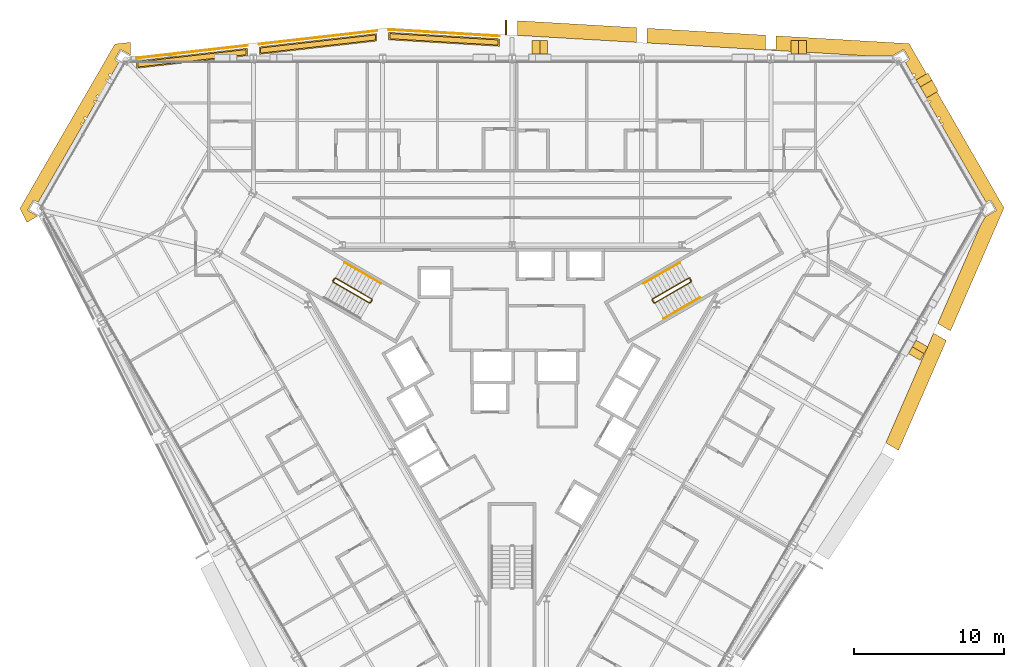
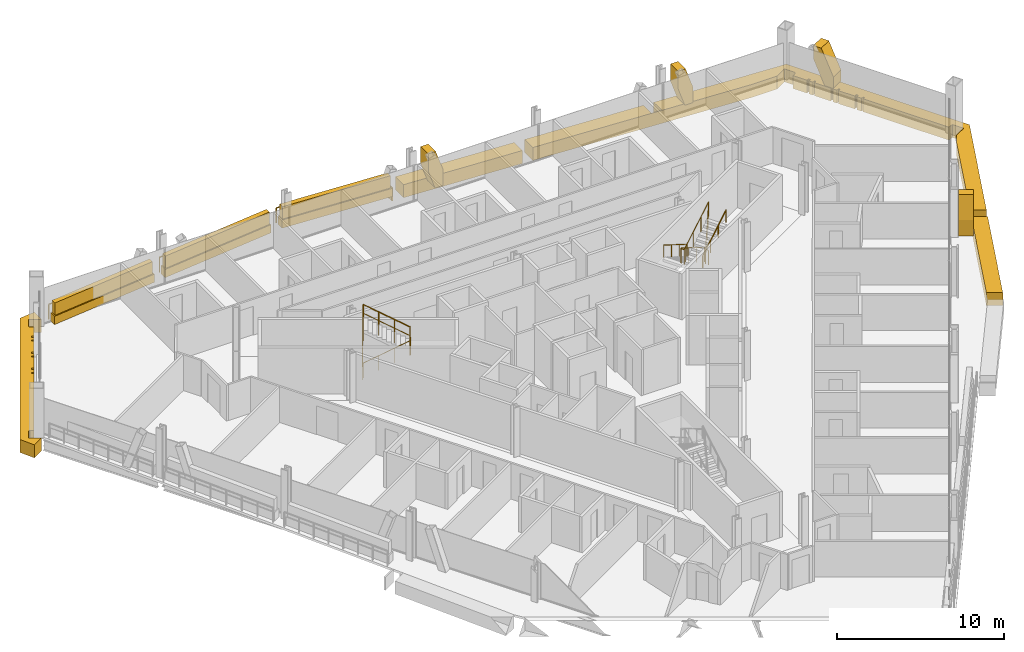
# One storey, part 18 of 18: 15 coverings, 8 railings.
"""IFC4 building model written with IfcOpenShell, lengths in metres."""

from ifc_helpers import new_model, si_unit, direction, frame, origin, origin_2d, place, context, subcontext, project, spatial, polyline, circle, outline, extrude, material, layer, layer_set, type_object, element, save


model = new_model("IFC4")

# Units and contexts
model_context = context("Model", 3, precision=1e-05, world=origin(), true_north=direction((0.0, 1.0)))
body_context = subcontext(model_context, "Body", "Model", "MODEL_VIEW")
ifc_project = project(units=[si_unit("LENGTHUNIT", "METRE"), si_unit("AREAUNIT", "SQUARE_METRE"), si_unit("VOLUMEUNIT", "CUBIC_METRE"), si_unit("PLANEANGLEUNIT", "RADIAN"), si_unit("MASSUNIT", "GRAM", prefix="KILO")], contexts=[model_context])

# Site, building, storey
site_placement = place(None, origin())
site = spatial("IfcSite", under=ifc_project, at=site_placement, CompositionType="ELEMENT")
building_placement = place(site_placement, origin())
building = spatial("IfcBuilding", under=site, at=building_placement, Name="Verrane Prism Tower", CompositionType="ELEMENT")
storey_placement = place(building_placement, frame((0.0, 0.0, 80.0)))
storey = spatial("IfcBuildingStorey", under=building, at=storey_placement, Name="L18", CompositionType="ELEMENT", Elevation=80.0)

# Coverings
ifc_material_1 = material(Name="Planting medium in stone kerb", Category="masonry")
covering_type_1 = type_object("IfcCoveringType", Name="Planter bed 600", PredefinedType="USERDEFINED", material=ifc_material_1)
covering_1_placement = place(storey_placement, origin())
element("IfcCovering", 1, at=covering_1_placement, inside=storey, type_object=covering_type_1, Name="Loggia planter N4 L18", ObjectType="PLANTER", PredefinedType="USERDEFINED", context=body_context, shape_type="SweptSolid", body=[
    extrude(outline(polyline([(-0.85009765625, 22.934814453125), (-8.231689453125, 23.36669921875), (-8.231689453125, 22.86669921875), (-0.85009765625, 22.434814453125), (-0.85009765625, 22.934814453125)])), origin(), (0.0, 0.0, 1.0), 0.60009765625),
])
covering_2_placement = place(storey_placement, origin())
element("IfcCovering", 2, at=covering_2_placement, inside=storey, type_object=covering_type_1, Name="Loggia planter N5 L18", ObjectType="PLANTER", PredefinedType="USERDEFINED", context=body_context, shape_type="SweptSolid", body=[
    extrude(outline(polyline([(-9.03173828125, 23.285400390625), (-16.86376953125, 22.395751953125), (-16.86376953125, 21.895751953125), (-9.03173828125, 22.785400390625), (-9.03173828125, 23.285400390625)])), origin(), (0.0, 0.0, 1.0), 0.60009765625),
])
covering_3_placement = place(storey_placement, origin())
element("IfcCovering", 3, at=covering_3_placement, inside=storey, type_object=covering_type_1, Name="Loggia planter N6 L18", ObjectType="PLANTER", PredefinedType="USERDEFINED", context=body_context, shape_type="SweptSolid", body=[
    extrude(outline(polyline([(-17.663818359375, 22.304931640625), (-25.04541015625, 21.466552734375), (-25.04541015625, 20.966552734375), (-17.663818359375, 21.804931640625), (-17.663818359375, 22.304931640625)])), origin(), (0.0, 0.0, 1.0), 0.60009765625),
])
ifc_material_2 = material(Name="Planted shrubs and grasses", Category="other")
covering_type_2 = type_object("IfcCoveringType", Name="Planting mass 1000", PredefinedType="USERDEFINED", material=ifc_material_2)
covering_4_placement = place(storey_placement, frame((0.0, 0.0, 0.60009765625)))
element("IfcCovering", 4, at=covering_4_placement, inside=storey, type_object=covering_type_2, Name="Loggia planting N4 L18", ObjectType="PLANTING", PredefinedType="USERDEFINED", context=body_context, shape_type="SweptSolid", body=[
    extrude(outline(polyline([(-8.15185546875, 23.281982421875), (-8.15185546875, 22.9423828125), (-0.929931640625, 22.519775390625), (-0.929931640625, 22.859375), (-8.15185546875, 23.281982421875)])), origin(), (0.0, 0.0, 1.0), 0.89990234375),
])
covering_5_placement = place(storey_placement, frame((0.0, 0.0, 0.60009765625)))
element("IfcCovering", 5, at=covering_5_placement, inside=storey, type_object=covering_type_2, Name="Loggia planting N5 L18", ObjectType="PLANTING", PredefinedType="USERDEFINED", context=body_context, shape_type="SweptSolid", body=[
    extrude(outline(polyline([(-16.78369140625, 22.324462890625), (-16.78369140625, 21.9853515625), (-9.11181640625, 22.856689453125), (-9.11181640625, 23.19580078125), (-16.78369140625, 22.324462890625)])), origin(), (0.0, 0.0, 1.0), 0.89990234375),
])
covering_6_placement = place(storey_placement, frame((0.0, 0.0, 0.60009765625)))
element("IfcCovering", 6, at=covering_6_placement, inside=storey, type_object=covering_type_2, Name="Loggia planting N6 L18", ObjectType="PLANTING", PredefinedType="USERDEFINED", context=body_context, shape_type="SweptSolid", body=[
    extrude(outline(polyline([(-24.965576171875, 21.39501953125), (-24.965576171875, 21.05615234375), (-17.74365234375, 21.87646484375), (-17.74365234375, 22.21533203125), (-24.965576171875, 21.39501953125)])), origin(), (0.0, 0.0, 1.0), 0.89990234375),
])

# Railings
ifc_material_3 = material(Name="Steel A36 rail and posts, no infill", Category="steel")
railing_type_1 = type_object("IfcRailingType", Name="Stair guard 1100 steel rail and posts", PredefinedType="GUARDRAIL", material=ifc_material_3)
railing_1_placement = place(storey_placement, frame((11.78955078125, 6.97998046875, 0.16357421875)))
element("IfcRailing", 7, at=railing_1_placement, inside=storey, type_object=railing_type_1, Name="Stair 1 guard", PredefinedType="GUARDRAIL", context=body_context, shape_type="SweptSolid", body=[
    extrude(circle(Radius=0.02392578125, at=origin_2d()), frame((0.0, 0.0, 1.076171875), z_axis=(-0.747665513933, -0.431721881032, 0.504591415616), x_axis=(0.500049511043, -0.865996816683, 0.0)), (0.0, 0.0, 1.0), 3.2431640625),
    extrude(circle(Radius=0.02392578125, at=origin_2d()), frame((-2.4248046875, -1.400146484375, 2.71240234375), z_axis=(-0.259601060869, -0.965715946433, 0.0), x_axis=(0.965715946433, -0.259601060869, 0.0)), (0.0, 0.0, 1.0), 0.070556640625),
    extrude(circle(Radius=0.02392578125, at=origin_2d()), frame((-2.443115234375, -1.46826171875, 2.71240234375), z_axis=(0.499158860599, -0.866510491504, 0.0), x_axis=(0.866510491504, 0.499158860599, 0.0)), (0.0, 0.0, 1.0), 0.199951171875),
    extrude(circle(Radius=0.02392578125, at=origin_2d()), frame((-2.34326171875, -1.6416015625, 2.71240234375), z_axis=(0.383552647116, -0.102737316192, 0.917786691313), x_axis=(0.258736085224, 0.965948051503, 0.0)), (0.0, 0.0, 1.0), 0.17822265625),
    extrude(circle(Radius=0.02392578125, at=origin_2d()), frame((-2.27490234375, -1.659912109375, 2.8759765625), z_axis=(0.747665513933, 0.431721881032, 0.504591415616), x_axis=(-0.500049511043, 0.865996816683, 0.0)), (0.0, 0.0, 1.0), 3.2431640625),
    extrude(circle(Radius=0.02392578125, at=origin_2d()), frame((0.14990234375, -0.259765625, 4.5126953125), z_axis=(-0.022593669287, 0.066901613547, -0.997503734436), x_axis=(-0.947430582667, -0.3199613899, 0.0)), (0.0, 0.0, 1.0), 3.609130859375),
    extrude(circle(Radius=0.02392578125, at=origin_2d()), frame((0.068359375, -0.018310546875, 0.91259765625), z_axis=(0.499158860599, -0.866510491504, 0.0), x_axis=(0.866510491504, 0.499158860599, 0.0)), (0.0, 0.0, 1.0), 0.199951171875),
    extrude(circle(Radius=0.02099609375, at=origin_2d()), origin(), (0.0, 0.0, 1.0), 1.052001953125),
    extrude(circle(Radius=0.02099609375, at=origin_2d()), frame((-0.808349609375, -0.466796875, 0.54541015625)), (0.0, 0.0, 1.0), 1.052001953125),
    extrude(circle(Radius=0.02099609375, at=origin_2d()), frame((-1.616455078125, -0.933349609375, 1.091064453125)), (0.0, 0.0, 1.0), 1.052001953125),
    extrude(circle(Radius=0.02099609375, at=origin_2d()), frame((-2.4248046875, -1.400146484375, 1.636474609375)), (0.0, 0.0, 1.0), 1.052001953125),
    extrude(circle(Radius=0.02099609375, at=origin_2d()), frame((-2.443115234375, -1.46826171875, 1.636474609375)), (0.0, 0.0, 1.0), 1.052001953125),
    extrude(circle(Radius=0.02099609375, at=origin_2d()), frame((-2.34326171875, -1.6416015625, 1.636474609375)), (0.0, 0.0, 1.0), 1.052001953125),
    extrude(circle(Radius=0.02099609375, at=origin_2d()), frame((-2.27490234375, -1.659912109375, 1.800048828125)), (0.0, 0.0, 1.0), 1.052001953125),
    extrude(circle(Radius=0.02099609375, at=origin_2d()), frame((-1.466552734375, -1.193115234375, 2.345458984375)), (0.0, 0.0, 1.0), 1.052001953125),
    extrude(circle(Radius=0.02099609375, at=origin_2d()), frame((-0.658447265625, -0.7265625, 2.89111328125)), (0.0, 0.0, 1.0), 1.052001953125),
    extrude(circle(Radius=0.02099609375, at=origin_2d()), frame((0.14990234375, -0.259765625, 3.4365234375)), (0.0, 0.0, 1.0), 1.052001953125),
    extrude(circle(Radius=0.02099609375, at=origin_2d()), frame((0.12939453125, -0.199462890625, 2.53662109375)), (0.0, 0.0, 1.0), 1.052001953125),
    extrude(circle(Radius=0.02099609375, at=origin_2d()), frame((0.109130859375, -0.13916015625, 1.636474609375)), (0.0, 0.0, 1.0), 1.052001953125),
    extrude(circle(Radius=0.02099609375, at=origin_2d()), frame((0.0888671875, -0.07861328125, 0.736328125)), (0.0, 0.0, 1.0), 1.052001953125),
    extrude(circle(Radius=0.02099609375, at=origin_2d()), frame((0.068359375, -0.018310546875, -0.16357421875)), (0.0, 0.0, 1.0), 1.052001953125),
    extrude(circle(Radius=0.02099609375, at=origin_2d()), frame((0.168212890625, -0.191650390625, -0.16357421875)), (0.0, 0.0, 1.0), 1.052001953125),
])
railing_2_placement = place(storey_placement, frame((-11.939453125, 6.72021484375, 0.16357421875)))
element("IfcRailing", 8, at=railing_2_placement, inside=storey, type_object=railing_type_1, Name="Stair 2 guard", PredefinedType="GUARDRAIL", context=body_context, shape_type="SweptSolid", body=[
    extrude(circle(Radius=0.02392578125, at=origin_2d()), frame((0.0, 0.0, 1.076171875), z_axis=(0.747665513933, -0.431721881032, 0.504591415616), x_axis=(0.500049511043, 0.865996816683, 0.0)), (0.0, 0.0, 1.0), 3.2431640625),
    extrude(circle(Radius=0.02392578125, at=origin_2d()), frame((2.4248046875, -1.400146484375, 2.71240234375), z_axis=(0.965948051503, 0.258736085224, 0.0), x_axis=(-0.258736085224, 0.965948051503, 0.0)), (0.0, 0.0, 1.0), 0.07080078125),
    extrude(circle(Radius=0.02392578125, at=origin_2d()), frame((2.4931640625, -1.3818359375, 2.71240234375), z_axis=(0.499158860599, 0.866510491504, 0.0), x_axis=(-0.866510491504, 0.499158860599, 0.0)), (0.0, 0.0, 1.0), 0.199951171875),
    extrude(circle(Radius=0.02392578125, at=origin_2d()), frame((2.593017578125, -1.20849609375, 2.71240234375), z_axis=(-0.102791240646, 0.382383415203, 0.918268416436), x_axis=(-0.965715946433, -0.259601060869, 0.0)), (0.0, 0.0, 1.0), 0.17822265625),
    extrude(circle(Radius=0.02392578125, at=origin_2d()), frame((2.57470703125, -1.140380859375, 2.8759765625), z_axis=(-0.747665513933, 0.431721881032, 0.504591415616), x_axis=(-0.500049511043, -0.865996816683, 0.0)), (0.0, 0.0, 1.0), 3.2431640625),
    extrude(circle(Radius=0.02392578125, at=origin_2d()), frame((0.14990234375, 0.259765625, 4.5126953125), z_axis=(-0.046607763296, -0.053101733218, -0.99750083826), x_axis=(0.751567565678, -0.659656118156, 0.0)), (0.0, 0.0, 1.0), 3.609130859375),
    extrude(circle(Radius=0.02392578125, at=origin_2d()), frame((-0.018310546875, 0.068115234375, 0.91259765625), z_axis=(0.499158860599, 0.866510491504, 0.0), x_axis=(-0.866510491504, 0.499158860599, 0.0)), (0.0, 0.0, 1.0), 0.199951171875),
    extrude(circle(Radius=0.02099609375, at=origin_2d()), origin(), (0.0, 0.0, 1.0), 1.052001953125),
    extrude(circle(Radius=0.02099609375, at=origin_2d()), frame((0.808349609375, -0.466796875, 0.54541015625)), (0.0, 0.0, 1.0), 1.052001953125),
    extrude(circle(Radius=0.02099609375, at=origin_2d()), frame((1.616455078125, -0.933349609375, 1.091064453125)), (0.0, 0.0, 1.0), 1.052001953125),
    extrude(circle(Radius=0.02099609375, at=origin_2d()), frame((2.4248046875, -1.400146484375, 1.636474609375)), (0.0, 0.0, 1.0), 1.052001953125),
    extrude(circle(Radius=0.02099609375, at=origin_2d()), frame((2.4931640625, -1.3818359375, 1.636474609375)), (0.0, 0.0, 1.0), 1.052001953125),
    extrude(circle(Radius=0.02099609375, at=origin_2d()), frame((2.593017578125, -1.20849609375, 1.636474609375)), (0.0, 0.0, 1.0), 1.052001953125),
    extrude(circle(Radius=0.02099609375, at=origin_2d()), frame((2.57470703125, -1.140380859375, 1.800048828125)), (0.0, 0.0, 1.0), 1.052001953125),
    extrude(circle(Radius=0.02099609375, at=origin_2d()), frame((1.766357421875, -0.673583984375, 2.345458984375)), (0.0, 0.0, 1.0), 1.052001953125),
    extrude(circle(Radius=0.02099609375, at=origin_2d()), frame((0.958251953125, -0.20703125, 2.89111328125)), (0.0, 0.0, 1.0), 1.052001953125),
    extrude(circle(Radius=0.02099609375, at=origin_2d()), frame((0.14990234375, 0.259765625, 3.4365234375)), (0.0, 0.0, 1.0), 1.052001953125),
    extrude(circle(Radius=0.02099609375, at=origin_2d()), frame((0.10791015625, 0.2119140625, 2.53662109375)), (0.0, 0.0, 1.0), 1.052001953125),
    extrude(circle(Radius=0.02099609375, at=origin_2d()), frame((0.06591796875, 0.1640625, 1.636474609375)), (0.0, 0.0, 1.0), 1.052001953125),
    extrude(circle(Radius=0.02099609375, at=origin_2d()), frame((0.023681640625, 0.115966796875, 0.736328125)), (0.0, 0.0, 1.0), 1.052001953125),
    extrude(circle(Radius=0.02099609375, at=origin_2d()), frame((-0.018310546875, 0.068115234375, -0.16357421875)), (0.0, 0.0, 1.0), 1.052001953125),
    extrude(circle(Radius=0.02099609375, at=origin_2d()), frame((0.08154296875, 0.241455078125, -0.16357421875)), (0.0, 0.0, 1.0), 1.052001953125),
])
ifc_material_4 = material(Name="Steel A36 tube", Category="steel")
railing_type_2 = type_object("IfcRailingType", Name="Stair handrail 900 steel tube", PredefinedType="HANDRAIL", material=ifc_material_4)
railing_3_placement = place(storey_placement, frame((11.189453125, 8.01904296875, 0.16357421875)))
element("IfcRailing", 9, at=railing_3_placement, inside=storey, type_object=railing_type_2, Name="Stair 1 handrail", PredefinedType="HANDRAIL", context=body_context, shape_type="SweptSolid", body=[
    extrude(circle(Radius=0.02392578125, at=origin_2d()), frame((0.0, 0.0, 0.8759765625), z_axis=(-0.747689811644, -0.431660630283, 0.504607813879), x_axis=(0.49998411664, -0.866034573852, 0.0)), (0.0, 0.0, 1.0), 3.2431640625),
    extrude(circle(Radius=0.02099609375, at=origin_2d()), origin(), (0.0, 0.0, 1.0), 0.851806640625),
    extrude(circle(Radius=0.02099609375, at=origin_2d()), frame((-0.808349609375, -0.466552734375, 0.54541015625)), (0.0, 0.0, 1.0), 0.851806640625),
    extrude(circle(Radius=0.02099609375, at=origin_2d()), frame((-1.616455078125, -0.933349609375, 1.091064453125)), (0.0, 0.0, 1.0), 0.851806640625),
    extrude(circle(Radius=0.02099609375, at=origin_2d()), frame((-2.4248046875, -1.39990234375, 1.636474609375)), (0.0, 0.0, 1.0), 0.851806640625),
])
railing_4_placement = place(storey_placement, frame((10.11474609375, 4.28076171875, 1.963623046875)))
element("IfcRailing", 10, at=railing_4_placement, inside=storey, type_object=railing_type_2, Name="Stair 1 handrail", PredefinedType="HANDRAIL", context=body_context, shape_type="SweptSolid", body=[
    extrude(circle(Radius=0.02392578125, at=origin_2d()), frame((0.0, 0.0, 0.8759765625), z_axis=(0.747665513933, 0.431721881032, 0.504591415616), x_axis=(-0.500049511043, 0.865996816683, 0.0)), (0.0, 0.0, 1.0), 3.2431640625),
    extrude(circle(Radius=0.02099609375, at=origin_2d()), origin(), (0.0, 0.0, 1.0), 0.851806640625),
    extrude(circle(Radius=0.02099609375, at=origin_2d()), frame((0.808349609375, 0.466796875, 0.54541015625)), (0.0, 0.0, 1.0), 0.851806640625),
    extrude(circle(Radius=0.02099609375, at=origin_2d()), frame((1.616455078125, 0.933349609375, 1.091064453125)), (0.0, 0.0, 1.0), 0.851806640625),
    extrude(circle(Radius=0.02099609375, at=origin_2d()), frame((2.4248046875, 1.400146484375, 1.636474609375)), (0.0, 0.0, 1.0), 0.851806640625),
])
railing_5_placement = place(storey_placement, frame((-8.7646484375, 6.619140625, 1.963623046875)))
element("IfcRailing", 11, at=railing_5_placement, inside=storey, type_object=railing_type_2, Name="Stair 2 handrail", PredefinedType="HANDRAIL", context=body_context, shape_type="SweptSolid", body=[
    extrude(circle(Radius=0.02392578125, at=origin_2d()), frame((0.0, 0.0, 0.8759765625), z_axis=(-0.747689811644, 0.431660630283, 0.504607813879), x_axis=(-0.49998411664, -0.866034573852, 0.0)), (0.0, 0.0, 1.0), 3.2431640625),
    extrude(circle(Radius=0.02099609375, at=origin_2d()), origin(), (0.0, 0.0, 1.0), 0.851806640625),
    extrude(circle(Radius=0.02099609375, at=origin_2d()), frame((-0.808349609375, 0.466552734375, 0.54541015625)), (0.0, 0.0, 1.0), 0.851806640625),
    extrude(circle(Radius=0.02099609375, at=origin_2d()), frame((-1.616455078125, 0.933349609375, 1.091064453125)), (0.0, 0.0, 1.0), 0.851806640625),
    extrude(circle(Radius=0.02099609375, at=origin_2d()), frame((-2.4248046875, 1.39990234375, 1.636474609375)), (0.0, 0.0, 1.0), 0.851806640625),
])

# Coverings
ifc_material_5 = material(Name="Warm limestone cladding", Category="masonry")
ifc_layer_1 = layer(ifc_material_5, 0.89990234375)
ifc_layer_set_1 = layer_set([ifc_layer_1], Name="Stone brace fin 900")
covering_type_3 = type_object("IfcCoveringType", Name="Stone brace fin 900", PredefinedType="CLADDING", material=ifc_layer_set_1)
covering_7_placement = place(storey_placement, frame((19.627197265625, 22.3740234375, 0.0), z_axis=(0.0, 0.0, 1.0), x_axis=(-1.0, 0.0, 0.0)))
element("IfcCovering", 12, at=covering_7_placement, inside=storey, type_object=covering_type_3, Name="Stone brace fin N1 L18", PredefinedType="CLADDING", context=body_context, shape_type="SweptSolid", body=[
    extrude(outline(polyline([(1.031494140625, 2.64990234375), (0.51611328125, 2.64990234375), (0.0, 1.14501953125), (0.0, 0.0), (0.558837890625, 0.0), (1.031494140625, 1.378173828125), (1.031494140625, 2.64990234375)])), frame((0.0, 0.449951171875, 0.0), z_axis=(0.0, -1.0, 0.0), x_axis=(1.0, 0.0, 0.0)), (0.0, 0.0, 1.0), 0.89990234375),
])
covering_8_placement = place(storey_placement, frame((2.364501953125, 22.3740234375, 0.0), z_axis=(0.0, 0.0, 1.0), x_axis=(-1.0, 0.0, 0.0)))
element("IfcCovering", 13, at=covering_8_placement, inside=storey, type_object=covering_type_3, Name="Stone brace fin N3 L18", PredefinedType="CLADDING", context=body_context, shape_type="SweptSolid", body=[
    extrude(outline(polyline([(1.0302734375, 2.64990234375), (0.514892578125, 2.64990234375), (0.0, 1.146240234375), (0.0, 0.0), (0.55859375, 0.0), (1.0302734375, 1.376708984375), (1.0302734375, 2.64990234375)])), frame((0.0, 0.449951171875, 0.0), z_axis=(0.0, -1.0, 0.0), x_axis=(1.0, 0.0, 0.0)), (0.0, 0.0, 1.0), 0.89990234375),
])
covering_9_placement = place(storey_placement, frame((26.825927734375, 1.718505859375, 0.0), z_axis=(0.0, 0.0, 1.0), x_axis=(0.500186886507, 0.865917477919, 0.0)))
element("IfcCovering", 14, at=covering_9_placement, inside=storey, type_object=covering_type_3, Name="Stone brace fin SE5 L18", PredefinedType="CLADDING", context=body_context, shape_type="SweptSolid", body=[
    extrude(outline(polyline([(1.031005859375, 2.64990234375), (0.515869140625, 2.64990234375), (0.0, 1.145263671875), (0.0, 0.0), (0.558837890625, 0.0), (1.031005859375, 1.377685546875), (1.031005859375, 2.64990234375)])), frame((0.0, 0.449951171875, 0.0), z_axis=(0.0, -1.0, 0.0), x_axis=(1.0, 0.0, 0.0)), (0.0, 0.0, 1.0), 0.89990234375),
])
covering_10_placement = place(storey_placement, frame((28.03515625, 19.222900390625, 0.0), z_axis=(0.0, 0.0, 1.0), x_axis=(-0.499397204883, 0.866373148104, 0.0)))
element("IfcCovering", 15, at=covering_10_placement, inside=storey, type_object=covering_type_3, Name="Stone brace fin NE1 L18", PredefinedType="CLADDING", context=body_context, shape_type="SweptSolid", body=[
    extrude(outline(polyline([(1.386474609375, 2.64990234375), (0.841064453125, 2.64990234375), (0.0, 0.82861328125), (0.0, 0.0), (0.60888671875, 0.0), (1.386474609375, 1.684326171875), (1.386474609375, 2.64990234375)])), frame((0.0, 0.449951171875, 0.0), z_axis=(0.0, -1.0, 0.0), x_axis=(1.0, 0.0, 0.0)), (0.0, 0.0, 1.0), 0.89990234375),
])
ifc_material_6 = material(Name="Warm limestone cladding", Category="masonry")
ifc_layer_2 = layer(ifc_material_6, 0.449951171875)
ifc_layer_set_2 = layer_set([ifc_layer_2], Name="Stone spandrel band 450")
covering_type_4 = type_object("IfcCoveringType", Name="Stone spandrel band 450", PredefinedType="CLADDING", material=ifc_layer_set_2)
covering_11_placement = place(storey_placement, frame((0.0, 0.0, -0.949951171875)))
element("IfcCovering", 16, at=covering_11_placement, inside=storey, type_object=covering_type_4, Name="Stone spandrel band L18 part 1", PredefinedType="CLADDING", context=body_context, shape_type="SweptSolid", body=[
    extrude(outline(polyline([(8.981689453125, 22.65966796875), (23.616455078125, 21.803466796875), (25.37109375, 21.803466796875), (26.125732421875, 22.239013671875), (26.505615234375, 21.580810546875), (26.486328125, 21.56982421875), (26.436279296875, 21.486572265625), (26.2255859375, 21.36474609375), (26.698486328125, 20.545654296875), (26.845458984375, 20.63037109375), (26.9228515625, 20.49609375), (26.776123046875, 20.411376953125), (26.912109375, 20.17578125), (27.05859375, 20.260498046875), (27.106689453125, 20.17724609375), (26.960205078125, 20.0927734375), (27.525634765625, 19.11328125), (27.67138671875, 19.197265625), (27.751220703125, 19.05908203125), (27.605224609375, 18.97509765625), (27.7431640625, 18.736572265625), (27.888671875, 18.8203125), (27.936767578125, 18.7373046875), (27.791015625, 18.6533203125), (28.356689453125, 17.673828125), (28.50146484375, 17.75732421875), (28.5810546875, 17.619140625), (28.436279296875, 17.535888671875), (28.587646484375, 17.273681640625), (28.743896484375, 17.322998046875), (28.773193359375, 17.230712890625), (28.63720703125, 17.187744140625), (31.61572265625, 12.02880859375), (31.822265625, 12.148193359375), (31.916748046875, 12.148193359375), (31.935791015625, 12.1591796875), (32.315673828125, 11.5009765625), (31.566650390625, 11.068603515625), (31.242919921875, 10.5078125), (28.38818359375, 3.948486328125), (29.24072265625, 3.456298828125), (32.80810546875, 11.653076171875), (26.47900390625, 22.615478515625), (17.61376953125, 23.13427734375), (17.61376953125, 22.214599609375), (16.913818359375, 22.214599609375), (16.913818359375, 23.17529296875), (8.981689453125, 23.639404296875), (8.981689453125, 22.65966796875)])), origin(), (0.0, 0.0, 1.0), 0.949951171875),
])
covering_12_placement = place(storey_placement, frame((0.0, 0.0, -0.949951171875)))
element("IfcCovering", 17, at=covering_12_placement, inside=storey, type_object=covering_type_4, Name="Stone spandrel band L18 part 3", PredefinedType="CLADDING", context=body_context, shape_type="SweptSolid", body=[
    extrude(outline(polyline([(-32.36083984375, 10.698486328125), (-31.643310546875, 11.11279296875), (-32.315673828125, 11.5009765625), (-31.935791015625, 12.1591796875), (-31.916748046875, 12.148193359375), (-31.822265625, 12.148193359375), (-31.61572265625, 12.02880859375), (-28.63720703125, 17.187744140625), (-28.773193359375, 17.230712890625), (-28.743896484375, 17.322998046875), (-28.587646484375, 17.273681640625), (-28.436279296875, 17.535888671875), (-28.5810546875, 17.619140625), (-28.50146484375, 17.75732421875), (-28.356689453125, 17.673828125), (-27.791015625, 18.6533203125), (-27.936767578125, 18.7373046875), (-27.888671875, 18.8203125), (-27.7431640625, 18.736572265625), (-27.605224609375, 18.97509765625), (-27.751220703125, 19.05908203125), (-27.67138671875, 19.197265625), (-27.525634765625, 19.11328125), (-26.960205078125, 20.0927734375), (-27.106689453125, 20.17724609375), (-27.05859375, 20.260498046875), (-26.912109375, 20.17578125), (-26.776123046875, 20.411376953125), (-26.9228515625, 20.49609375), (-26.845458984375, 20.63037109375), (-26.698486328125, 20.545654296875), (-26.2255859375, 21.36474609375), (-26.436279296875, 21.486572265625), (-26.486328125, 21.56982421875), (-26.505615234375, 21.580810546875), (-26.125732421875, 22.239013671875), (-25.445556640625, 21.846435546875), (-25.445556640625, 22.70556640625), (-26.495849609375, 22.586181640625), (-32.8251953125, 11.623779296875), (-32.36083984375, 10.698486328125)])), origin(), (0.0, 0.0, 1.0), 0.949951171875),
])
covering_13_placement = place(storey_placement, frame((0.0, 0.0, -0.949951171875)))
element("IfcCovering", 18, at=covering_13_placement, inside=storey, type_object=covering_type_4, Name="Stone spandrel band L18 part 7", PredefinedType="CLADDING", context=body_context, shape_type="SweptSolid", body=[
    extrude(outline(polyline([(25.77392578125, -4.50927734375), (28.959716796875, 2.810302734375), (28.107177734375, 3.302490234375), (24.92138671875, -4.01708984375), (25.77392578125, -4.50927734375)])), origin(), (0.0, 0.0, 1.0), 0.949951171875),
])
covering_14_placement = place(storey_placement, frame((0.0, 0.0, -0.949951171875)))
element("IfcCovering", 19, at=covering_14_placement, inside=storey, type_object=covering_type_4, Name="Stone spandrel band L18 part 8", PredefinedType="CLADDING", context=body_context, shape_type="SweptSolid", body=[
    extrude(outline(polyline([(0.35009765625, 23.164794921875), (8.28173828125, 22.70068359375), (8.28173828125, 23.680419921875), (0.35009765625, 24.144287109375), (0.35009765625, 23.164794921875)])), origin(), (0.0, 0.0, 1.0), 0.949951171875),
])
covering_15_placement = place(storey_placement, frame((0.0, 0.0, -0.949951171875)))
element("IfcCovering", 20, at=covering_15_placement, inside=storey, type_object=covering_type_4, Name="Stone spandrel band L18 part 11", PredefinedType="CLADDING", context=body_context, shape_type="SweptSolid", body=[
    extrude(outline(polyline([(-0.35009765625, 24.185302734375), (-0.449951171875, 24.19140625), (-0.449951171875, 23.21142578125), (-0.35009765625, 23.20556640625), (-0.35009765625, 24.185302734375)])), origin(), (0.0, 0.0, 1.0), 0.949951171875),
])

# Railings
ifc_material_7 = material(Name="Stainless steel and laminated glass", Category="steel")
railing_type_3 = type_object("IfcRailingType", Name="Terrace guard 1100", PredefinedType="GUARDRAIL", material=ifc_material_7)
railing_6_placement = place(storey_placement, frame((-0.85009765625, 23.114990234375, 0.0)))
element("IfcRailing", 21, at=railing_6_placement, inside=storey, type_object=railing_type_3, Name="Loggia guard N4 L18", PredefinedType="GUARDRAIL", context=body_context, shape_type="SweptSolid", body=[
    extrude(circle(Radius=0.02392578125, at=origin_2d()), frame((0.0, 0.0, 1.076171875), z_axis=(-0.99829276835, 0.05840846394, 0.0), x_axis=(-0.05840846394, -0.99829276835, 0.0)), (0.0, 0.0, 1.0), 7.394287109375),
    extrude(circle(Radius=0.02099609375, at=origin_2d()), origin(), (0.0, 0.0, 1.0), 1.052001953125),
    extrude(circle(Radius=0.02099609375, at=origin_2d()), frame((-1.054443359375, 0.061767578125, 0.0)), (0.0, 0.0, 1.0), 1.052001953125),
    extrude(circle(Radius=0.02099609375, at=origin_2d()), frame((-2.109130859375, 0.123291015625, 0.0)), (0.0, 0.0, 1.0), 1.052001953125),
    extrude(circle(Radius=0.02099609375, at=origin_2d()), frame((-3.16357421875, 0.18505859375, 0.0)), (0.0, 0.0, 1.0), 1.052001953125),
    extrude(circle(Radius=0.02099609375, at=origin_2d()), frame((-4.218017578125, 0.246826171875, 0.0)), (0.0, 0.0, 1.0), 1.052001953125),
    extrude(circle(Radius=0.02099609375, at=origin_2d()), frame((-5.2724609375, 0.30859375, 0.0)), (0.0, 0.0, 1.0), 1.052001953125),
    extrude(circle(Radius=0.02099609375, at=origin_2d()), frame((-6.3271484375, 0.3701171875, 0.0)), (0.0, 0.0, 1.0), 1.052001953125),
    extrude(circle(Radius=0.02099609375, at=origin_2d()), frame((-7.381591796875, 0.431884765625, 0.0)), (0.0, 0.0, 1.0), 1.052001953125),
])
railing_7_placement = place(storey_placement, frame((-9.03173828125, 23.46533203125, 0.0)))
element("IfcRailing", 22, at=railing_7_placement, inside=storey, type_object=railing_type_3, Name="Loggia guard N5 L18", PredefinedType="GUARDRAIL", context=body_context, shape_type="SweptSolid", body=[
    extrude(circle(Radius=0.02392578125, at=origin_2d()), frame((0.0, 0.0, 1.076171875), z_axis=(-0.993610308014, -0.112865210798, 0.0), x_axis=(0.112865210798, -0.993610308014, 0.0)), (0.0, 0.0, 1.0), 7.88232421875),
    extrude(circle(Radius=0.02099609375, at=origin_2d()), origin(), (0.0, 0.0, 1.0), 1.052001953125),
    extrude(circle(Radius=0.02099609375, at=origin_2d()), frame((-1.118896484375, -0.127197265625, 0.0)), (0.0, 0.0, 1.0), 1.052001953125),
    extrude(circle(Radius=0.02099609375, at=origin_2d()), frame((-2.23779296875, -0.254150390625, 0.0)), (0.0, 0.0, 1.0), 1.052001953125),
    extrude(circle(Radius=0.02099609375, at=origin_2d()), frame((-3.356689453125, -0.38134765625, 0.0)), (0.0, 0.0, 1.0), 1.052001953125),
    extrude(circle(Radius=0.02099609375, at=origin_2d()), frame((-4.475341796875, -0.50830078125, 0.0)), (0.0, 0.0, 1.0), 1.052001953125),
    extrude(circle(Radius=0.02099609375, at=origin_2d()), frame((-5.59423828125, -0.635498046875, 0.0)), (0.0, 0.0, 1.0), 1.052001953125),
    extrude(circle(Radius=0.02099609375, at=origin_2d()), frame((-6.713134765625, -0.762451171875, 0.0)), (0.0, 0.0, 1.0), 1.052001953125),
    extrude(circle(Radius=0.02099609375, at=origin_2d()), frame((-7.83203125, -0.8896484375, 0.0)), (0.0, 0.0, 1.0), 1.052001953125),
])
railing_8_placement = place(storey_placement, frame((-17.663818359375, 22.485107421875, 0.0)))
element("IfcRailing", 23, at=railing_8_placement, inside=storey, type_object=railing_type_3, Name="Loggia guard N6 L18", PredefinedType="GUARDRAIL", context=body_context, shape_type="SweptSolid", body=[
    extrude(circle(Radius=0.02392578125, at=origin_2d()), frame((0.0, 0.0, 1.076171875), z_axis=(-0.993608187141, -0.112883880365, 0.0), x_axis=(0.112883880365, -0.993608187141, 0.0)), (0.0, 0.0, 1.0), 7.428955078125),
    extrude(circle(Radius=0.02099609375, at=origin_2d()), origin(), (0.0, 0.0, 1.0), 1.052001953125),
    extrude(circle(Radius=0.02099609375, at=origin_2d()), frame((-1.054443359375, -0.119873046875, 0.0)), (0.0, 0.0, 1.0), 1.052001953125),
    extrude(circle(Radius=0.02099609375, at=origin_2d()), frame((-2.109130859375, -0.239501953125, 0.0)), (0.0, 0.0, 1.0), 1.052001953125),
    extrude(circle(Radius=0.02099609375, at=origin_2d()), frame((-3.16357421875, -0.359375, 0.0)), (0.0, 0.0, 1.0), 1.052001953125),
    extrude(circle(Radius=0.02099609375, at=origin_2d()), frame((-4.218017578125, -0.479248046875, 0.0)), (0.0, 0.0, 1.0), 1.052001953125),
    extrude(circle(Radius=0.02099609375, at=origin_2d()), frame((-5.2724609375, -0.59912109375, 0.0)), (0.0, 0.0, 1.0), 1.052001953125),
    extrude(circle(Radius=0.02099609375, at=origin_2d()), frame((-6.3271484375, -0.71875, 0.0)), (0.0, 0.0, 1.0), 1.052001953125),
    extrude(circle(Radius=0.02099609375, at=origin_2d()), frame((-7.381591796875, -0.838623046875, 0.0)), (0.0, 0.0, 1.0), 1.052001953125),
])

save(model, "model.ifc")
